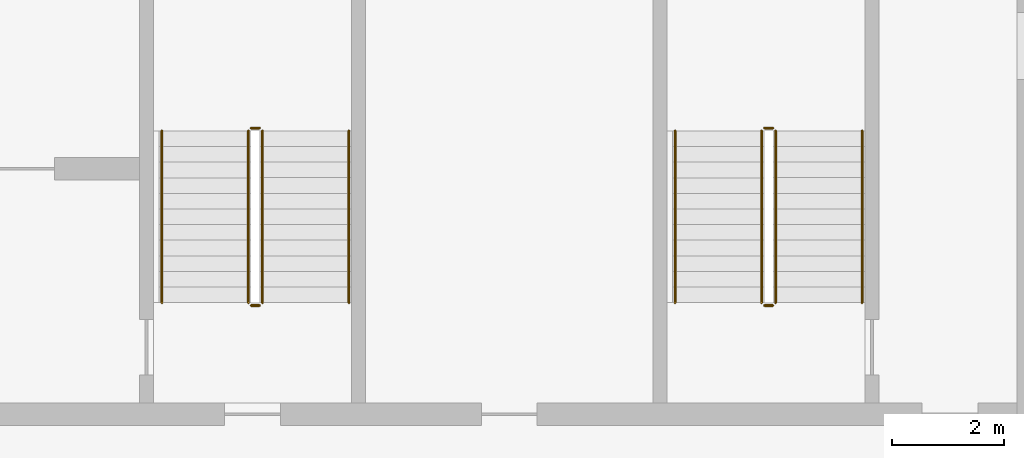
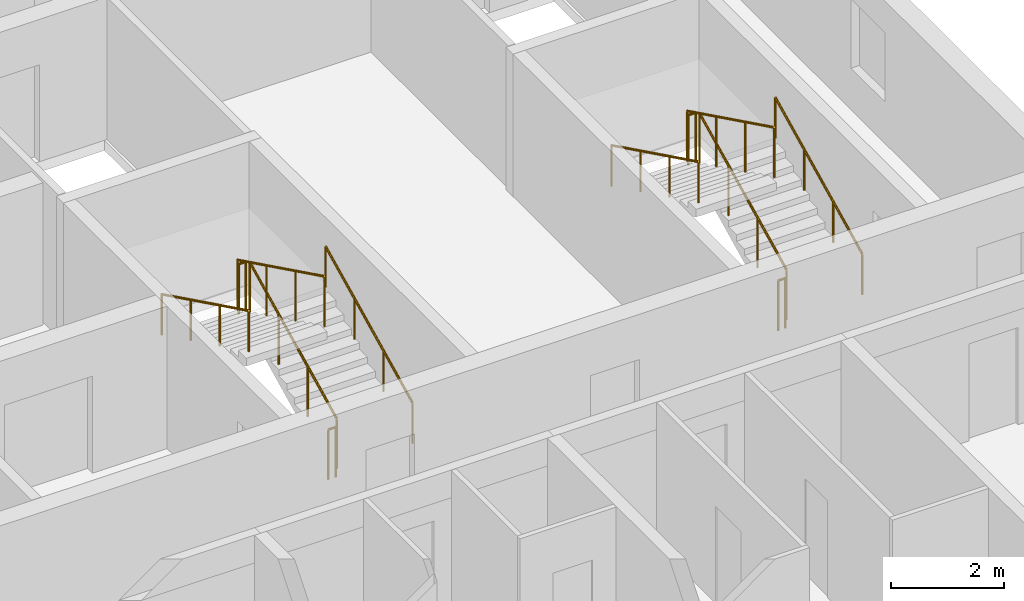
# One storey, part 15 of 27: 12 railings.
"""IFC4 building model written with IfcOpenShell, lengths in metres."""

from ifc_helpers import new_model, si_unit, direction, frame, origin, origin_2d, place, context, subcontext, project, spatial, circle, extrude, material, type_object, element, save


model = new_model("IFC4")

# Units and contexts
model_context = context("Model", 3, precision=1e-05, world=origin(), true_north=direction((0.0, 1.0)))
body_context = subcontext(model_context, "Body", "Model", "MODEL_VIEW")
ifc_project = project(units=[si_unit("LENGTHUNIT", "METRE"), si_unit("AREAUNIT", "SQUARE_METRE"), si_unit("VOLUMEUNIT", "CUBIC_METRE"), si_unit("PLANEANGLEUNIT", "RADIAN"), si_unit("MASSUNIT", "GRAM", prefix="KILO")], contexts=[model_context])

# Site, building, storey
site_placement = place(None, origin())
site = spatial("IfcSite", under=ifc_project, at=site_placement, CompositionType="ELEMENT")
building_placement = place(site_placement, origin())
building = spatial("IfcBuilding", under=site, at=building_placement, Name="Poui Terraces", CompositionType="ELEMENT")
storey_placement = place(building_placement, frame((0.0, 0.0, 201.60009765625)))
storey = spatial("IfcBuildingStorey", under=building, at=storey_placement, Name="L56", CompositionType="ELEMENT", Elevation=201.60009765625)

# Railings
ifc_material_1 = material(Name="Galvanised steel balustrade", Category="steel")
railing_type_1 = type_object("IfcRailingType", Name="STAIR GUARD 1100", PredefinedType="GUARDRAIL", material=ifc_material_1)
railing_1_placement = place(storey_placement, frame((70.27490234375, 16.60009765625, 0.137451171875)))
element("IfcRailing", 1, at=railing_1_placement, inside=storey, type_object=railing_type_1, Name="L56 ST-CE stair guard 1", PredefinedType="GUARDRAIL", context=body_context, shape_type="SweptSolid", body=[
    extrude(circle(Radius=0.02392578125, at=origin_2d()), frame((0.0, 0.0, 1.076171875), z_axis=(0.0, 0.897606190399, 0.440798283751), x_axis=(-1.0, 0.0, 0.0)), (0.0, 0.0, 1.0), 3.43115234375),
    extrude(circle(Radius=0.02099609375, at=origin_2d()), origin(), (0.0, 0.0, 1.0), 1.052001953125),
    extrude(circle(Radius=0.02099609375, at=origin_2d()), frame((0.0, 1.026611328125, 0.504150390625)), (0.0, 0.0, 1.0), 1.052001953125),
    extrude(circle(Radius=0.02099609375, at=origin_2d()), frame((0.0, 2.05322265625, 1.00830078125)), (0.0, 0.0, 1.0), 1.052001953125),
    extrude(circle(Radius=0.02099609375, at=origin_2d()), frame((0.0, 3.079833984375, 1.512451171875)), (0.0, 0.0, 1.0), 1.052001953125),
])
railing_2_placement = place(storey_placement, frame((70.22509765625, 19.72998046875, 1.64990234375)))
element("IfcRailing", 2, at=railing_2_placement, inside=storey, type_object=railing_type_1, Name="L56 ST-CE stair guard 2", PredefinedType="GUARDRAIL", context=body_context, shape_type="SweptSolid", body=[
    extrude(circle(Radius=0.02392578125, at=origin_2d()), frame((0.0, 0.0, 1.076171875), z_axis=(-1.0, 0.0, 0.0), x_axis=(0.0, -1.0, 0.0)), (0.0, 0.0, 1.0), 0.150146484375),
    extrude(circle(Radius=0.02099609375, at=origin_2d()), origin(), (0.0, 0.0, 1.0), 1.052001953125),
    extrude(circle(Radius=0.02099609375, at=origin_2d()), frame((-0.150146484375, 0.0, 0.0)), (0.0, 0.0, 1.0), 1.052001953125),
])
railing_3_placement = place(storey_placement, frame((70.02490234375, 19.679931640625, 1.787353515625)))
element("IfcRailing", 3, at=railing_3_placement, inside=storey, type_object=railing_type_1, Name="L56 ST-CE stair guard 3", PredefinedType="GUARDRAIL", context=body_context, shape_type="SweptSolid", body=[
    extrude(circle(Radius=0.02392578125, at=origin_2d()), frame((0.0, 0.0, 1.076171875), z_axis=(0.0, -0.897606190399, 0.440798283751), x_axis=(1.0, 0.0, 0.0)), (0.0, 0.0, 1.0), 3.43115234375),
    extrude(circle(Radius=0.02099609375, at=origin_2d()), origin(), (0.0, 0.0, 1.0), 1.052001953125),
    extrude(circle(Radius=0.02099609375, at=origin_2d()), frame((0.0, -1.026611328125, 0.504150390625)), (0.0, 0.0, 1.0), 1.052001953125),
    extrude(circle(Radius=0.02099609375, at=origin_2d()), frame((0.0, -2.05322265625, 1.00830078125)), (0.0, 0.0, 1.0), 1.052001953125),
    extrude(circle(Radius=0.02099609375, at=origin_2d()), frame((0.0, -3.079833984375, 1.512451171875)), (0.0, 0.0, 1.0), 1.052001953125),
])
railing_4_placement = place(storey_placement, frame((70.22509765625, 16.550048828125, 0.0)))
element("IfcRailing", 4, at=railing_4_placement, inside=storey, type_object=railing_type_1, Name="L56 ST-CE stair guard 4", PredefinedType="GUARDRAIL", context=body_context, shape_type="SweptSolid", body=[
    extrude(circle(Radius=0.02392578125, at=origin_2d()), frame((0.0, 0.0, 1.076171875), z_axis=(-1.0, 0.0, 0.0), x_axis=(0.0, -1.0, 0.0)), (0.0, 0.0, 1.0), 0.150146484375),
    extrude(circle(Radius=0.02099609375, at=origin_2d()), origin(), (0.0, 0.0, 1.0), 1.052001953125),
    extrude(circle(Radius=0.02099609375, at=origin_2d()), frame((-0.150146484375, 0.0, 0.0)), (0.0, 0.0, 1.0), 1.052001953125),
])
railing_5_placement = place(storey_placement, frame((79.47509765625, 16.60009765625, 0.137451171875)))
element("IfcRailing", 5, at=railing_5_placement, inside=storey, type_object=railing_type_1, Name="L56 ST-E stair guard 1", PredefinedType="GUARDRAIL", context=body_context, shape_type="SweptSolid", body=[
    extrude(circle(Radius=0.02392578125, at=origin_2d()), frame((0.0, 0.0, 1.076171875), z_axis=(0.0, 0.897606190399, 0.440798283751), x_axis=(-1.0, 0.0, 0.0)), (0.0, 0.0, 1.0), 3.43115234375),
    extrude(circle(Radius=0.02099609375, at=origin_2d()), origin(), (0.0, 0.0, 1.0), 1.052001953125),
    extrude(circle(Radius=0.02099609375, at=origin_2d()), frame((0.0, 1.026611328125, 0.504150390625)), (0.0, 0.0, 1.0), 1.052001953125),
    extrude(circle(Radius=0.02099609375, at=origin_2d()), frame((0.0, 2.05322265625, 1.00830078125)), (0.0, 0.0, 1.0), 1.052001953125),
    extrude(circle(Radius=0.02099609375, at=origin_2d()), frame((0.0, 3.079833984375, 1.512451171875)), (0.0, 0.0, 1.0), 1.052001953125),
])
railing_6_placement = place(storey_placement, frame((79.425048828125, 19.72998046875, 1.64990234375)))
element("IfcRailing", 6, at=railing_6_placement, inside=storey, type_object=railing_type_1, Name="L56 ST-E stair guard 2", PredefinedType="GUARDRAIL", context=body_context, shape_type="SweptSolid", body=[
    extrude(circle(Radius=0.02392578125, at=origin_2d()), frame((0.0, 0.0, 1.076171875), z_axis=(-1.0, 0.0, 0.0), x_axis=(0.0, -1.0, 0.0)), (0.0, 0.0, 1.0), 0.150146484375),
    extrude(circle(Radius=0.02099609375, at=origin_2d()), origin(), (0.0, 0.0, 1.0), 1.052001953125),
    extrude(circle(Radius=0.02099609375, at=origin_2d()), frame((-0.150146484375, 0.0, 0.0)), (0.0, 0.0, 1.0), 1.052001953125),
])
railing_7_placement = place(storey_placement, frame((79.22509765625, 19.679931640625, 1.787353515625)))
element("IfcRailing", 7, at=railing_7_placement, inside=storey, type_object=railing_type_1, Name="L56 ST-E stair guard 3", PredefinedType="GUARDRAIL", context=body_context, shape_type="SweptSolid", body=[
    extrude(circle(Radius=0.02392578125, at=origin_2d()), frame((0.0, 0.0, 1.076171875), z_axis=(0.0, -0.897606190399, 0.440798283751), x_axis=(1.0, 0.0, 0.0)), (0.0, 0.0, 1.0), 3.43115234375),
    extrude(circle(Radius=0.02099609375, at=origin_2d()), origin(), (0.0, 0.0, 1.0), 1.052001953125),
    extrude(circle(Radius=0.02099609375, at=origin_2d()), frame((0.0, -1.026611328125, 0.504150390625)), (0.0, 0.0, 1.0), 1.052001953125),
    extrude(circle(Radius=0.02099609375, at=origin_2d()), frame((0.0, -2.05322265625, 1.00830078125)), (0.0, 0.0, 1.0), 1.052001953125),
    extrude(circle(Radius=0.02099609375, at=origin_2d()), frame((0.0, -3.079833984375, 1.512451171875)), (0.0, 0.0, 1.0), 1.052001953125),
])
railing_8_placement = place(storey_placement, frame((79.425048828125, 16.550048828125, 0.0)))
element("IfcRailing", 8, at=railing_8_placement, inside=storey, type_object=railing_type_1, Name="L56 ST-E stair guard 4", PredefinedType="GUARDRAIL", context=body_context, shape_type="SweptSolid", body=[
    extrude(circle(Radius=0.02392578125, at=origin_2d()), frame((0.0, 0.0, 1.076171875), z_axis=(-1.0, 0.0, 0.0), x_axis=(0.0, -1.0, 0.0)), (0.0, 0.0, 1.0), 0.150146484375),
    extrude(circle(Radius=0.02099609375, at=origin_2d()), origin(), (0.0, 0.0, 1.0), 1.052001953125),
    extrude(circle(Radius=0.02099609375, at=origin_2d()), frame((-0.150146484375, 0.0, 0.0)), (0.0, 0.0, 1.0), 1.052001953125),
])
ifc_material_2 = material(Name="Stainless steel handrail", Category="steel")
railing_type_2 = type_object("IfcRailingType", Name="STAIR HANDRAIL 900", PredefinedType="HANDRAIL", material=ifc_material_2)
railing_9_placement = place(storey_placement, frame((71.824951171875, 16.60009765625, 0.137451171875)))
element("IfcRailing", 9, at=railing_9_placement, inside=storey, type_object=railing_type_2, Name="L56 ST-CE stair handrail 1", PredefinedType="HANDRAIL", context=body_context, shape_type="SweptSolid", body=[
    extrude(circle(Radius=0.02392578125, at=origin_2d()), frame((0.0, 0.0, 0.8759765625), z_axis=(0.0, 0.897606190399, 0.440798283751), x_axis=(-1.0, 0.0, 0.0)), (0.0, 0.0, 1.0), 3.43115234375),
    extrude(circle(Radius=0.02099609375, at=origin_2d()), origin(), (0.0, 0.0, 1.0), 0.851806640625),
    extrude(circle(Radius=0.02099609375, at=origin_2d()), frame((0.0, 1.026611328125, 0.504150390625)), (0.0, 0.0, 1.0), 0.851806640625),
    extrude(circle(Radius=0.02099609375, at=origin_2d()), frame((0.0, 2.05322265625, 1.00830078125)), (0.0, 0.0, 1.0), 0.851806640625),
    extrude(circle(Radius=0.02099609375, at=origin_2d()), frame((0.0, 3.079833984375, 1.512451171875)), (0.0, 0.0, 1.0), 0.851806640625),
])
railing_10_placement = place(storey_placement, frame((68.47509765625, 19.679931640625, 1.787353515625)))
element("IfcRailing", 10, at=railing_10_placement, inside=storey, type_object=railing_type_2, Name="L56 ST-CE stair handrail 2", PredefinedType="HANDRAIL", context=body_context, shape_type="SweptSolid", body=[
    extrude(circle(Radius=0.02392578125, at=origin_2d()), frame((0.0, 0.0, 0.8759765625), z_axis=(0.0, -0.897606190399, 0.440798283751), x_axis=(1.0, 0.0, 0.0)), (0.0, 0.0, 1.0), 3.43115234375),
    extrude(circle(Radius=0.02099609375, at=origin_2d()), origin(), (0.0, 0.0, 1.0), 0.851806640625),
    extrude(circle(Radius=0.02099609375, at=origin_2d()), frame((0.0, -1.026611328125, 0.504150390625)), (0.0, 0.0, 1.0), 0.851806640625),
    extrude(circle(Radius=0.02099609375, at=origin_2d()), frame((0.0, -2.05322265625, 1.00830078125)), (0.0, 0.0, 1.0), 0.851806640625),
    extrude(circle(Radius=0.02099609375, at=origin_2d()), frame((0.0, -3.079833984375, 1.512451171875)), (0.0, 0.0, 1.0), 0.851806640625),
])
railing_11_placement = place(storey_placement, frame((81.02490234375, 16.60009765625, 0.137451171875)))
element("IfcRailing", 11, at=railing_11_placement, inside=storey, type_object=railing_type_2, Name="L56 ST-E stair handrail 1", PredefinedType="HANDRAIL", context=body_context, shape_type="SweptSolid", body=[
    extrude(circle(Radius=0.02392578125, at=origin_2d()), frame((0.0, 0.0, 0.8759765625), z_axis=(0.0, 0.897606190399, 0.440798283751), x_axis=(-1.0, 0.0, 0.0)), (0.0, 0.0, 1.0), 3.43115234375),
    extrude(circle(Radius=0.02099609375, at=origin_2d()), origin(), (0.0, 0.0, 1.0), 0.851806640625),
    extrude(circle(Radius=0.02099609375, at=origin_2d()), frame((0.0, 1.026611328125, 0.504150390625)), (0.0, 0.0, 1.0), 0.851806640625),
    extrude(circle(Radius=0.02099609375, at=origin_2d()), frame((0.0, 2.05322265625, 1.00830078125)), (0.0, 0.0, 1.0), 0.851806640625),
    extrude(circle(Radius=0.02099609375, at=origin_2d()), frame((0.0, 3.079833984375, 1.512451171875)), (0.0, 0.0, 1.0), 0.851806640625),
])
railing_12_placement = place(storey_placement, frame((77.675048828125, 19.679931640625, 1.787353515625)))
element("IfcRailing", 12, at=railing_12_placement, inside=storey, type_object=railing_type_2, Name="L56 ST-E stair handrail 2", PredefinedType="HANDRAIL", context=body_context, shape_type="SweptSolid", body=[
    extrude(circle(Radius=0.02392578125, at=origin_2d()), frame((0.0, 0.0, 0.8759765625), z_axis=(0.0, -0.897606190399, 0.440798283751), x_axis=(1.0, 0.0, 0.0)), (0.0, 0.0, 1.0), 3.43115234375),
    extrude(circle(Radius=0.02099609375, at=origin_2d()), origin(), (0.0, 0.0, 1.0), 0.851806640625),
    extrude(circle(Radius=0.02099609375, at=origin_2d()), frame((0.0, -1.026611328125, 0.504150390625)), (0.0, 0.0, 1.0), 0.851806640625),
    extrude(circle(Radius=0.02099609375, at=origin_2d()), frame((0.0, -2.05322265625, 1.00830078125)), (0.0, 0.0, 1.0), 0.851806640625),
    extrude(circle(Radius=0.02099609375, at=origin_2d()), frame((0.0, -3.079833984375, 1.512451171875)), (0.0, 0.0, 1.0), 0.851806640625),
])

save(model, "model.ifc")
